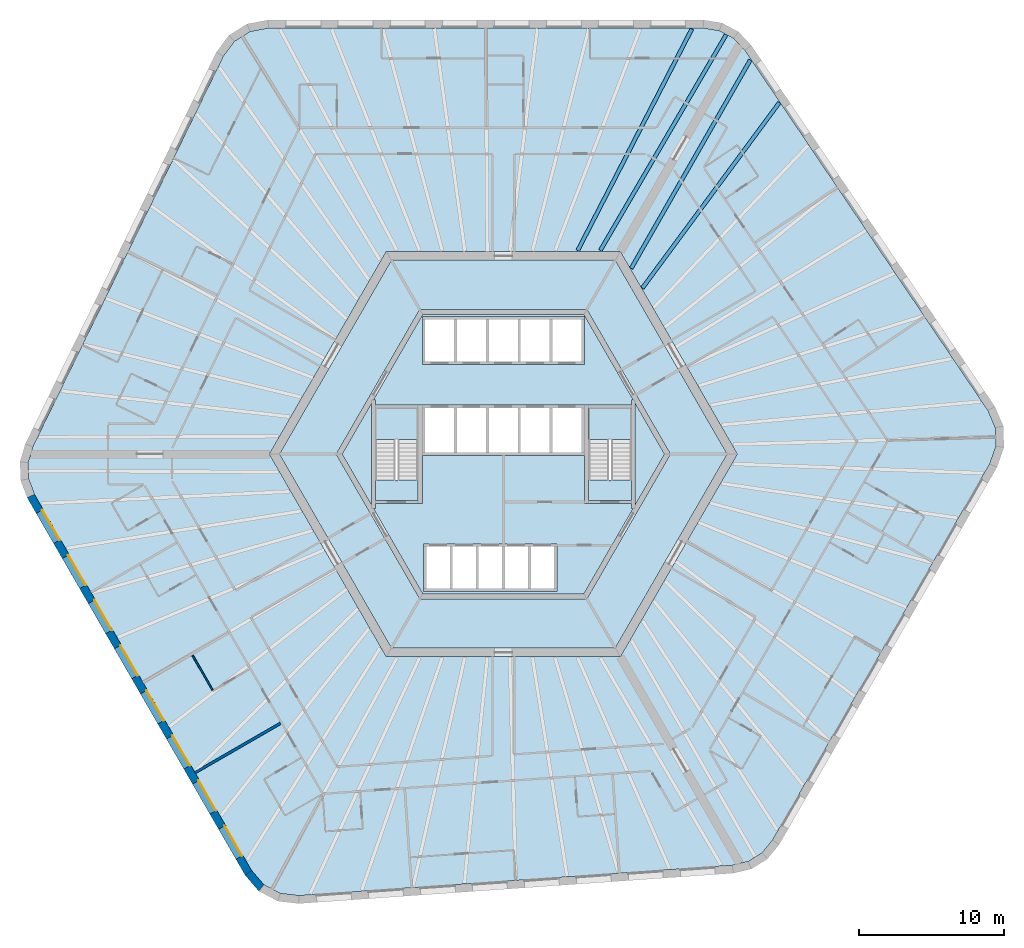
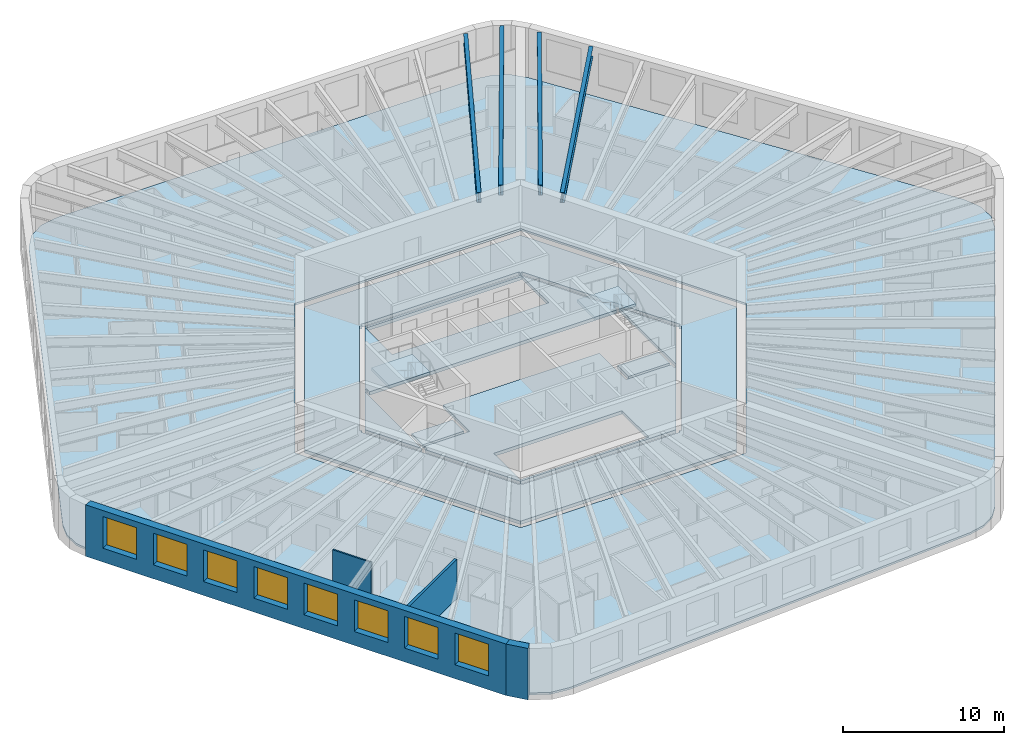
# One storey, part 2 of 12: 10 slabs, 8 windows, 4 beams, 4 walls, 8 openings, 2 elements without a shape of their own.
"""IFC4 building model written with IfcOpenShell, lengths in metres."""

import ifcopenshell
import ifcopenshell.guid

model = None  # the IFC model being written
_history = None  # IfcOwnerHistory: only IFC2X3 demands one
_inside = {}  # id of a spatial element -> (the spatial element, [elements in it])
_under = {}  # id of a project, library or spatial element -> (it, [spatial elements below it])
_declared = {}  # id of a project -> (the project, [libraries it declares])
_typed = {}  # id of a type object -> (the type object, [elements of that type])
_made_of = {}  # id of a material, layer set ... -> (it, [elements and type objects made of it])


def new_model(schema):
    """Start an empty IFC model of exactly this schema.

    Asked for "IFC4X3", IfcOpenShell would pick the latest addendum, in which some entities
    have other attributes; the version numbers below select the first issue.
    IFC2X3 requires an IfcOwnerHistory on every rooted entity: one is made here for all.
    """
    global model, _history
    if schema == "IFC4X3":
        model = ifcopenshell.file(schema_version=(4, 3, 0, 0))
    else:
        model = ifcopenshell.file(schema=schema)
    _inside.clear()
    _under.clear()
    _declared.clear()
    _typed.clear()
    _made_of.clear()
    _history = None
    if model.schema == "IFC2X3":
        org = make("IfcOrganization", Name="unknown")
        user = make(
            "IfcPersonAndOrganization",
            ThePerson=make("IfcPerson", FamilyName="unknown"),
            TheOrganization=org,
        )
        app = make(
            "IfcApplication",
            ApplicationDeveloper=org,
            Version="unknown",
            ApplicationFullName="unknown",
            ApplicationIdentifier="unknown",
        )
        _history = make(
            "IfcOwnerHistory",
            OwningUser=user,
            OwningApplication=app,
            ChangeAction="ADDED",
            CreationDate=0,
        )
    return model


def make(cls, **values):
    """One entity of the class cls with the attributes given. An attribute that is None is left unset."""
    return model.create_entity(
        cls, **{name: value for name, value in values.items() if value is not None}
    )


def rooted(cls, **values):
    """An entity with a GlobalId (a new one), such as an element, a storey or a relation."""
    return make(cls, GlobalId=ifcopenshell.guid.new(), OwnerHistory=_history, **values)


def si_unit(unit_type, name, prefix=None):
    """IfcSIUnit, for example si_unit("LENGTHUNIT", "METRE", prefix="MILLI")."""
    return make("IfcSIUnit", UnitType=unit_type, Prefix=prefix, Name=name)


def assignment(units):
    """IfcUnitAssignment: the units of a project."""
    return None if units is None else make("IfcUnitAssignment", Units=units)


def point(xyz):
    """IfcCartesianPoint."""
    return None if xyz is None else make("IfcCartesianPoint", Coordinates=xyz)


def direction(xyz):
    """IfcDirection."""
    return None if xyz is None else make("IfcDirection", DirectionRatios=xyz)


def frame(location, z_axis=None, x_axis=None):
    """IfcAxis2Placement3D, a coordinate frame: its origin and axes. An axis left out is left unset."""
    return make(
        "IfcAxis2Placement3D",
        Location=point(location),
        Axis=direction(z_axis),
        RefDirection=direction(x_axis),
    )


def frame_2d(location, x_axis=None):
    """IfcAxis2Placement2D, a coordinate frame in the plane: its origin and x axis."""
    return make(
        "IfcAxis2Placement2D", Location=point(location), RefDirection=direction(x_axis)
    )


def origin():
    """The frame at (0, 0, 0) with its axes left unset."""
    return frame((0.0, 0.0, 0.0))


def origin_2d():
    """The frame at (0, 0) in the plane with its x axis left unset."""
    return frame_2d((0.0, 0.0))


def place(relative_to, where):
    """IfcLocalPlacement: puts the frame where relative to a parent placement (None: the world)."""
    return make(
        "IfcLocalPlacement", PlacementRelTo=relative_to, RelativePlacement=where
    )


def context(
    kind, dimensions, precision=None, world=None, true_north=None, identifier=None
):
    """IfcGeometricRepresentationContext, for example the 3D "Model" context."""
    return make(
        "IfcGeometricRepresentationContext",
        ContextIdentifier=identifier,
        ContextType=kind,
        CoordinateSpaceDimension=dimensions,
        Precision=precision,
        WorldCoordinateSystem=world,
        TrueNorth=true_north,
    )


def subcontext(parent, identifier, kind, view, scale=None):
    """IfcGeometricRepresentationSubContext, for example "Body" below "Model"."""
    return make(
        "IfcGeometricRepresentationSubContext",
        ContextIdentifier=identifier,
        ContextType=kind,
        ParentContext=parent,
        TargetScale=scale,
        TargetView=view,
    )


def project(units=None, contexts=None):
    """IfcProject with its units and contexts."""
    return rooted(
        "IfcProject",
        Name="project",
        RepresentationContexts=contexts,
        UnitsInContext=assignment(units),
    )


def spatial(cls, under=None, at=None, **own):
    """A site, building, storey or space (cls), placed at a placement, below another one or the project."""
    s = rooted(cls, ObjectPlacement=at, **own)
    if under is not None:
        _under.setdefault(under.id(), (under, []))[1].append(s)
    return s


def polyline(points):
    """IfcPolyline through the points."""
    return make("IfcPolyline", Points=[point(p) for p in points])


def profile(cls, at=None, kind="AREA", **sizes):
    """A parametric profile (cls). Its sizes go by their IFC names, for example OverallWidth=200.0."""
    return make(cls, ProfileType=kind, Position=at, **sizes)


def rectangle(**sizes):
    """IfcRectangleProfileDef."""
    return profile("IfcRectangleProfileDef", **sizes)


def i_section(**sizes):
    """IfcIShapeProfileDef."""
    return profile("IfcIShapeProfileDef", **sizes)


def outline(outer, holes=None, kind="AREA"):
    """IfcArbitraryClosedProfileDef: a profile drawn as a closed curve; with holes, ...WithVoids."""
    if holes is None:
        return make("IfcArbitraryClosedProfileDef", ProfileType=kind, OuterCurve=outer)
    return make(
        "IfcArbitraryProfileDefWithVoids",
        ProfileType=kind,
        OuterCurve=outer,
        InnerCurves=holes,
    )


def extrude(swept, where, along, depth):
    """IfcExtrudedAreaSolid: the profile swept, set in the frame where, extruded along a direction by depth."""
    return make(
        "IfcExtrudedAreaSolid",
        SweptArea=swept,
        Position=where,
        ExtrudedDirection=direction(along),
        Depth=depth,
    )


def shape(context_of_items, identifier, shape_type, items):
    """IfcShapeRepresentation: the items that make up one representation, for example the "Body"."""
    return make(
        "IfcShapeRepresentation",
        ContextOfItems=context_of_items,
        RepresentationIdentifier=identifier,
        RepresentationType=shape_type,
        Items=items,
    )


def material(Name=None, Category=None):
    """IfcMaterial."""
    return make("IfcMaterial", Name=Name, Category=Category)


def layer(
    of_material, thickness, ventilated=None, Name=None, Category=None, Priority=None
):
    """IfcMaterialLayer: one layer of a wall or slab, of a material (None: an air gap)."""
    return make(
        "IfcMaterialLayer",
        Material=of_material,
        LayerThickness=thickness,
        IsVentilated=ventilated,
        Name=Name,
        Category=Category,
        Priority=Priority,
    )


def layer_set(layers, Name=None):
    """IfcMaterialLayerSet."""
    return make("IfcMaterialLayerSet", MaterialLayers=layers, LayerSetName=Name)


def material_profile(
    of_material, cross_section, Name=None, Category=None, Priority=None
):
    """IfcMaterialProfile: a cross section and its material."""
    return make(
        "IfcMaterialProfile",
        Name=Name,
        Material=of_material,
        Profile=cross_section,
        Priority=Priority,
        Category=Category,
    )


def profile_set(profiles, Name=None, composite=None):
    """IfcMaterialProfileSet."""
    return make(
        "IfcMaterialProfileSet",
        Name=Name,
        MaterialProfiles=profiles,
        CompositeProfile=composite,
    )


def made_of(thing, what):
    """Note that an element or type object is made of a material, layer set ...; save() writes the relation."""
    if what is not None:
        _made_of.setdefault(what.id(), (what, []))[1].append(thing)
    return thing


def type_object(cls, material=None, **own):
    """A type object (cls), such as IfcWallType, which elements share."""
    return made_of(rooted(cls, **own), material)


def element(
    cls,
    number,
    at=None,
    inside=None,
    cuts=None,
    type_object=None,
    material=None,
    context=None,
    identifier="Body",
    shape_type=None,
    held_by="IfcProductDefinitionShape",
    body=None,
    shapes=None,
    **own,
):
    """One element of the class cls, such as IfcWall. Its Tag is "e" and its number.

    at: its placement. inside: the storey or other place that contains it. cuts: it is an
    opening in that element (IfcRelVoidsElement). A single representation is given by context,
    identifier, shape_type and body (its items); several are given by shapes. held_by: the class
    of the entity that holds the representations. save() writes the other relations.
    """
    e = rooted(cls, Tag="e%d" % number, ObjectPlacement=at, **own)
    if body is not None:
        shapes = [shape(context, identifier, shape_type, body)]
    if shapes is not None:
        e.Representation = make(held_by, Representations=shapes)
    if inside is not None:
        _inside.setdefault(inside.id(), (inside, []))[1].append(e)
    if cuts is not None:
        rooted(
            "IfcRelVoidsElement", RelatingBuildingElement=cuts, RelatedOpeningElement=e
        )
    if type_object is not None:
        _typed.setdefault(type_object.id(), (type_object, []))[1].append(e)
    return made_of(e, material)


def fill(opening, filler):
    """IfcRelFillsElement: the door or window that sits in an opening."""
    return rooted(
        "IfcRelFillsElement",
        RelatingOpeningElement=opening,
        RelatedBuildingElement=filler,
    )


def aggregate(whole, parts):
    """IfcRelAggregates: a whole, such as a stair, and the parts it consists of."""
    return rooted("IfcRelAggregates", RelatingObject=whole, RelatedObjects=parts)


def save(model, path):
    """Write the relations noted so far, then the file.

    IfcRelAggregates (storeys below a building ...), IfcRelContainedInSpatialStructure (elements
    in a storey), IfcRelDefinesByType, IfcRelAssociatesMaterial and IfcRelDeclares: one each for
    every whole, place, type object, material and project.
    """
    for whole, parts in _under.values():
        aggregate(whole, parts)
    for where, things in _inside.values():
        rooted(
            "IfcRelContainedInSpatialStructure",
            RelatedElements=things,
            RelatingStructure=where,
        )
    for kind, things in _typed.values():
        rooted("IfcRelDefinesByType", RelatedObjects=things, RelatingType=kind)
    for what, things in _made_of.values():
        rooted("IfcRelAssociatesMaterial", RelatedObjects=things, RelatingMaterial=what)
    for by, libraries in _declared.values():
        rooted("IfcRelDeclares", RelatingContext=by, RelatedDefinitions=libraries)
    model.write(path)


model = new_model("IFC4")

# Units and contexts
model_context = context("Model", 3, precision=1e-05, world=origin(), true_north=direction((0.0, 1.0)))
body_context = subcontext(model_context, "Body", "Model", "MODEL_VIEW")
ifc_project = project(units=[si_unit("LENGTHUNIT", "METRE"), si_unit("AREAUNIT", "SQUARE_METRE"), si_unit("VOLUMEUNIT", "CUBIC_METRE"), si_unit("PLANEANGLEUNIT", "RADIAN"), si_unit("MASSUNIT", "GRAM", prefix="KILO")], contexts=[model_context])

# Site, building, storey
site_placement = place(None, origin())
site = spatial("IfcSite", under=ifc_project, at=site_placement, CompositionType="ELEMENT")
building_placement = place(site_placement, origin())
building = spatial("IfcBuilding", under=site, at=building_placement, Name="Tarnside Tower", CompositionType="ELEMENT")
storey_placement = place(building_placement, frame((0.0, 0.0, 53.10009765625)))
storey = spatial("IfcBuildingStorey", under=building, at=storey_placement, Name="L10", CompositionType="ELEMENT", Elevation=53.10009765625)

# Beams
ifc_material_1 = material(Name="Steel S355", Category="steel")
ifc_material_profile = material_profile(ifc_material_1, i_section(OverallWidth=0.2666015625, OverallDepth=0.76220703125, WebThickness=0.014404296875, FlangeThickness=0.021484375, FilletRadius=0.0166015625, at=origin_2d()), Name="UB 762x267x173")
ifc_profile_set = profile_set([ifc_material_profile], Name="Steel S355")
beam_type = type_object("IfcBeamType", Name="Floor beam UB 762x267x173", PredefinedType="BEAM", material=ifc_profile_set)
beam_1_placement = place(storey_placement, frame((13.0283203125, 29.37890625, 3.368896484375), z_axis=(-0.457973226459, -0.888965985765, 0.0), x_axis=(0.888965985765, -0.457973226459, 0.0)))
element("IfcBeam", 1, at=beam_1_placement, inside=storey, type_object=beam_type, Name="Floor beam F1.01", PredefinedType="BEAM", context=body_context, shape_type="SweptSolid", body=[
    extrude(i_section(OverallWidth=0.2666015625, OverallDepth=0.76220703125, WebThickness=0.014404296875, FlangeThickness=0.021484375, FilletRadius=0.0166015625, at=origin_2d()), origin(), (0.0, 0.0, 1.0), 17.219970703125),
])
beam_2_placement = place(storey_placement, frame((19.072021484375, 24.28857421875, 3.368896484375), z_axis=(-0.593986893499, -0.804474717037, 0.0), x_axis=(0.804474717037, -0.593986893499, 0.0)))
element("IfcBeam", 2, at=beam_2_placement, inside=storey, type_object=beam_type, Name="Floor beam F6.08", PredefinedType="BEAM", context=body_context, shape_type="SweptSolid", body=[
    extrude(i_section(OverallWidth=0.2666015625, OverallDepth=0.76220703125, WebThickness=0.014404296875, FlangeThickness=0.021484375, FilletRadius=0.0166015625, at=origin_2d()), origin(), (0.0, 0.0, 1.0), 15.934326171875),
])
beam_3_placement = place(storey_placement, frame((17.066162109375, 27.235107421875, 3.368896484375), z_axis=(-0.49622611841, -0.868193319145, 0.0), x_axis=(0.868193319145, -0.49622611841, 0.0)))
element("IfcBeam", 3, at=beam_3_placement, inside=storey, type_object=beam_type, Name="Floor beam F6.09", PredefinedType="BEAM", context=body_context, shape_type="SweptSolid", body=[
    extrude(i_section(OverallWidth=0.2666015625, OverallDepth=0.76220703125, WebThickness=0.014404296875, FlangeThickness=0.021484375, FilletRadius=0.0166015625, at=origin_2d()), origin(), (0.0, 0.0, 1.0), 16.586669921875),
])
beam_4_placement = place(storey_placement, frame((15.4013671875, 28.990478515625, 3.368896484375), z_axis=(-0.503858723096, -0.863786077198, 0.0), x_axis=(0.863786077198, -0.503858723096, 0.0)))
element("IfcBeam", 4, at=beam_4_placement, inside=storey, type_object=beam_type, Name="Floor beam C6", PredefinedType="BEAM", context=body_context, shape_type="SweptSolid", body=[
    extrude(i_section(OverallWidth=0.2666015625, OverallDepth=0.76220703125, WebThickness=0.014404296875, FlangeThickness=0.021484375, FilletRadius=0.0166015625, at=origin_2d()), origin(), (0.0, 0.0, 1.0), 17.2744140625),
])

# Slabs
ifc_material_2 = material(Name="Concrete C35/45", Category="concrete")
ifc_layer_1 = layer(ifc_material_2, 0.14990234375)
ifc_layer_set_1 = layer_set([ifc_layer_1], Name="Composite floor slab 150")
slab_type_1 = type_object("IfcSlabType", Name="Composite floor slab 150", PredefinedType="FLOOR", material=ifc_layer_set_1)
slab_1_placement = place(storey_placement, frame((0.0, 0.0, -0.150146484375)))
element("IfcSlab", 5, at=slab_1_placement, inside=storey, type_object=slab_type_1, Name="Floor slab L10", PredefinedType="FLOOR", context=body_context, shape_type="SweptSolid", body=[
    extrude(outline(polyline([(14.927490234375, 29.264892578125), (15.91455078125, 28.740234375), (16.697265625, 27.91064453125), (33.48583984375, 3.0205078125), (34.001220703125, 1.825439453125), (34.0458984375, 0.55078125), (33.614990234375, -0.67724609375), (18.603515625, -26.677978515625), (17.880615234375, -27.56005859375), (16.9326171875, -28.15234375), (15.82275390625, -28.41552734375), (-14.127197265625, -30.509765625), (-15.419921875, -30.358642578125), (-16.5458984375, -29.760009765625), (-17.39404296875, -28.772705078125), (-32.405517578125, -2.772216796875), (-32.80810546875, -1.704833984375), (-32.846923828125, -0.587890625), (-32.52001953125, 0.5048828125), (-19.358642578125, 27.4892578125), (-18.58154296875, 28.533203125), (-17.5, 29.208984375), (-16.220947265625, 29.449951171875), (13.802001953125, 29.449951171875), (14.927490234375, 29.264892578125)]), holes=[polyline([(-16.165771484375, 0.0), (-8.0830078125, -14.0), (8.0830078125, -14.0), (16.165771484375, 0.0), (8.0830078125, 14.0), (-8.0830078125, 14.0), (-16.165771484375, 0.0)])]), origin(), (0.0, 0.0, 1.0), 0.150146484375),
])
ifc_material_3 = material(Name="Concrete C40/50", Category="concrete")
ifc_layer_2 = layer(ifc_material_3, 0.25)
ifc_layer_set_2 = layer_set([ifc_layer_2], Name="Core slab C40/50")
slab_type_2 = type_object("IfcSlabType", Name="Core slab C40/50", PredefinedType="FLOOR", material=ifc_layer_set_2)
slab_2_placement = place(storey_placement, frame((0.0, 0.0, -0.25)))
element("IfcSlab", 6, at=slab_2_placement, inside=storey, type_object=slab_type_2, Name="L10 core floor slab 1", PredefinedType="FLOOR", context=body_context, shape_type="SweptSolid", body=[
    extrude(outline(polyline([(-15.472900390625, 0.0), (-7.736572265625, 13.39990234375), (7.736572265625, 13.39990234375), (15.472900390625, 0.0), (7.736572265625, -13.39990234375), (-7.736572265625, -13.39990234375), (-15.472900390625, 0.0)]), holes=[polyline([(5.823974609375, -9.91259765625), (11.49658203125, -0.08740234375), (11.344970703125, 0.0), (11.49658203125, 0.08740234375), (5.823974609375, 9.91259765625), (5.672607421875, 9.824951171875), (5.672607421875, 10.0), (-5.672607421875, 10.0), (-5.672607421875, 9.824951171875), (-5.823974609375, 9.91259765625), (-11.49658203125, 0.08740234375), (-11.344970703125, 0.0), (-11.49658203125, -0.08740234375), (-5.823974609375, -9.91259765625), (-5.672607421875, -9.824951171875), (-5.672607421875, -10.0), (5.672607421875, -10.0), (5.672607421875, -9.824951171875), (5.823974609375, -9.91259765625)])]), origin(), (0.0, 0.0, 1.0), 0.25),
])
slab_3_placement = place(storey_placement, frame((0.0, 0.0, -0.25)))
element("IfcSlab", 7, at=slab_3_placement, inside=storey, type_object=slab_type_2, Name="L10 core floor slab 2", PredefinedType="FLOOR", context=body_context, shape_type="SweptSolid", body=[
    extrude(outline(polyline([(-8.97509765625, 3.7548828125), (-5.5712890625, 9.64990234375), (5.5712890625, 9.64990234375), (8.97509765625, 3.7548828125), (8.85009765625, 3.7548828125), (8.85009765625, 3.39990234375), (5.89990234375, 3.39990234375), (5.60009765625, 3.39990234375), (5.60009765625, 3.39990234375), (-5.60009765625, 3.39990234375), (-5.89990234375, 3.39990234375), (-8.85009765625, 3.39990234375), (-8.85009765625, 3.7548828125), (-8.97509765625, 3.7548828125)]), holes=[polyline([(-5.60009765625, 6.199951171875), (5.60009765625, 6.199951171875), (5.60009765625, 6.39990234375), (5.60009765625, 9.300048828125), (5.60009765625, 9.5), (-5.60009765625, 9.5), (-5.60009765625, 9.300048828125), (-5.60009765625, 6.39990234375), (-5.60009765625, 6.199951171875)])]), origin(), (0.0, 0.0, 1.0), 0.25),
])
slab_4_placement = place(storey_placement, frame((0.0, 0.0, -0.25)))
element("IfcSlab", 8, at=slab_4_placement, inside=storey, type_object=slab_type_2, Name="L10 core floor slab 3", PredefinedType="FLOOR", context=body_context, shape_type="SweptSolid", body=[
    extrude(outline(polyline([(5.60009765625, -3.39990234375), (5.89990234375, -3.39990234375), (8.85009765625, -3.39990234375), (8.85009765625, -3.7548828125), (8.97509765625, -3.7548828125), (5.5712890625, -9.64990234375), (-5.5712890625, -9.64990234375), (-8.97509765625, -3.7548828125), (-8.85009765625, -3.7548828125), (-8.85009765625, -3.39990234375), (-5.89990234375, -3.39990234375), (-5.60009765625, -3.39990234375), (-5.60009765625, -0.10009765625), (5.60009765625, -0.10009765625), (5.60009765625, -3.39990234375)]), holes=[polyline([(-5.5, -9.300048828125), (-5.5, -9.5), (3.699951171875, -9.5), (3.699951171875, -9.300048828125), (3.699951171875, -6.39990234375), (3.699951171875, -6.199951171875), (-5.5, -6.199951171875), (-5.5, -6.39990234375), (-5.5, -9.300048828125)])]), origin(), (0.0, 0.0, 1.0), 0.25),
])
slab_5_placement = place(storey_placement, frame((0.0, 0.0, -0.25)))
element("IfcSlab", 9, at=slab_5_placement, inside=storey, type_object=slab_type_2, Name="L10 core floor slab 4", PredefinedType="FLOOR", context=body_context, shape_type="SweptSolid", body=[
    extrude(outline(polyline([(-11.142822265625, 0.0), (-9.10009765625, 3.538330078125), (-9.10009765625, -3.538330078125), (-11.142822265625, 0.0)])), origin(), (0.0, 0.0, 1.0), 0.25),
])
slab_6_placement = place(storey_placement, frame((0.0, 0.0, -0.25)))
element("IfcSlab", 10, at=slab_6_placement, inside=storey, type_object=slab_type_2, Name="L10 core floor slab 5", PredefinedType="FLOOR", context=body_context, shape_type="SweptSolid", body=[
    extrude(outline(polyline([(-8.85009765625, -1.800048828125), (-5.89990234375, -1.800048828125), (-5.89990234375, -3.199951171875), (-8.85009765625, -3.199951171875), (-8.85009765625, -1.800048828125)])), origin(), (0.0, 0.0, 1.0), 0.25),
])
slab_7_placement = place(storey_placement, frame((0.0, 0.0, -0.25)))
element("IfcSlab", 11, at=slab_7_placement, inside=storey, type_object=slab_type_2, Name="L10 core floor slab 6", PredefinedType="FLOOR", context=body_context, shape_type="SweptSolid", body=[
    extrude(outline(polyline([(5.89990234375, -3.199951171875), (5.89990234375, -1.800048828125), (8.85009765625, -1.800048828125), (8.85009765625, -3.199951171875), (5.89990234375, -3.199951171875)])), origin(), (0.0, 0.0, 1.0), 0.25),
])
slab_8_placement = place(storey_placement, frame((0.0, 0.0, -0.25)))
element("IfcSlab", 12, at=slab_8_placement, inside=storey, type_object=slab_type_2, Name="L10 core floor slab 7", PredefinedType="FLOOR", context=body_context, shape_type="SweptSolid", body=[
    extrude(outline(polyline([(9.10009765625, -3.538330078125), (9.10009765625, 3.538330078125), (11.142822265625, 0.0), (9.10009765625, -3.538330078125)])), origin(), (0.0, 0.0, 1.0), 0.25),
])

# Stair, slab
stair_type = type_object("IfcStairType", Name="Exit stair 1400 clear", PredefinedType="HALF_TURN_STAIR", material=ifc_material_3)
stair_1_placement = place(storey_placement, origin())
stair_1 = element("IfcStair", 13, at=stair_1_placement, inside=storey, type_object=stair_type, Name="L10 Exit stair 1", PredefinedType="HALF_TURN_STAIR")
ifc_layer_3 = layer(ifc_material_3, 0.199951171875)
ifc_layer_set_3 = layer_set([ifc_layer_3], Name="Stair landing 200 C40/50")
slab_type_3 = type_object("IfcSlabType", Name="Stair landing 200 C40/50", PredefinedType="LANDING", material=ifc_layer_set_3)
slab_9_placement = place(storey_placement, frame((0.0, 0.0, 1.75)))
slab_9 = element("IfcSlab", 14, at=slab_9_placement, type_object=slab_type_3, Name="ST1 landing 1", PredefinedType="LANDING", context=body_context, shape_type="SweptSolid", body=[
    extrude(outline(polyline([(8.85009765625, 1.0), (8.85009765625, 3.199951171875), (5.89990234375, 3.199951171875), (5.89990234375, 1.0), (8.85009765625, 1.0)])), origin(), (0.0, 0.0, 1.0), 0.199951171875),
])
aggregate(stair_1, [slab_9])

stair_2_placement = place(storey_placement, origin())
stair_2 = element("IfcStair", 15, at=stair_2_placement, inside=storey, type_object=stair_type, Name="L10 Exit stair 2", PredefinedType="HALF_TURN_STAIR")
slab_10_placement = place(storey_placement, frame((0.0, 0.0, 1.75)))
slab_10 = element("IfcSlab", 16, at=slab_10_placement, type_object=slab_type_3, Name="ST2 landing 1", PredefinedType="LANDING", context=body_context, shape_type="SweptSolid", body=[
    extrude(outline(polyline([(-5.89990234375, 1.0), (-5.89990234375, 3.199951171875), (-8.85009765625, 3.199951171875), (-8.85009765625, 1.0), (-5.89990234375, 1.0)])), origin(), (0.0, 0.0, 1.0), 0.199951171875),
])
aggregate(stair_2, [slab_10])

# Walls
ifc_material_4 = material(Name="Gypsum board partition on steel studs", Category="steel")
ifc_layer_4 = layer(ifc_material_4, 0.10009765625)
ifc_layer_set_4 = layer_set([ifc_layer_4], Name="Bathroom wall 100")
wall_type_1 = type_object("IfcWallType", Name="Bathroom wall 100", PredefinedType="PARTITIONING", material=ifc_layer_set_4)
wall_1_placement = place(storey_placement, frame((-20.096435546875, -16.2919921875, 0.0), z_axis=(0.0, 0.0, 1.0), x_axis=(-0.499982807329, 0.86603532975, 0.0)))
element("IfcWall", 17, at=wall_1_placement, inside=storey, type_object=wall_type_1, Name="Bathroom wall 02111", PredefinedType="PARTITIONING", context=body_context, shape_type="SweptSolid", body=[
    extrude(rectangle(XDim=2.759765625, YDim=0.10009765625, at=frame_2d((1.3798828125, 0.0))), origin(), (0.0, 0.0, 1.0), 2.98779296875),
])
ifc_layer_5 = layer(ifc_material_4, 0.179931640625)
ifc_layer_set_5 = layer_set([ifc_layer_5], Name="Demising wall 180 EI 60")
wall_type_2 = type_object("IfcWallType", Name="Demising wall 180 EI 60", PredefinedType="PARTITIONING", material=ifc_layer_set_5)
wall_2_placement = place(storey_placement, frame((-21.298828125, -22.00927734375, 0.0), z_axis=(0.0, 0.0, 1.0), x_axis=(0.866019982719, 0.500009389444, 0.0)))
element("IfcWall", 18, at=wall_2_placement, inside=storey, type_object=wall_type_2, Name="Demising wall 02112", PredefinedType="PARTITIONING", context=body_context, shape_type="SweptSolid", body=[
    extrude(rectangle(XDim=6.824951171875, YDim=0.179931640625, at=frame_2d((3.41259765625, 0.0))), origin(), (0.0, 0.0, 1.0), 2.98779296875),
])

# Wall, openings, windows
ifc_material_5 = material(Name="Facing brick", Category="masonry")
ifc_layer_6 = layer(ifc_material_5, 0.10205078125)
ifc_material_6 = material(Name="Concrete C60/75 precast", Category="concrete")
ifc_layer_7 = layer(ifc_material_6, 0.347900390625)
ifc_material_7 = material(Name="Mineral wool insulation")
ifc_layer_8 = layer(ifc_material_7, 0.10009765625)
ifc_layer_set_6 = layer_set([ifc_layer_6, ifc_layer_7, ifc_layer_8], Name="Tube wall 550 brick faced")
wall_type_3 = type_object("IfcWallType", Name="Tube wall 550 brick faced", PredefinedType="SOLIDWALL", material=ifc_layer_set_6)
wall_3_placement = place(storey_placement, frame((-32.65478515625, -2.89013671875, -0.150146484375), z_axis=(0.0, 0.0, 1.0), x_axis=(0.499997711317, -0.866026725152, 0.0)))
wall_3 = element("IfcWall", 19, at=wall_3_placement, inside=storey, type_object=wall_type_3, Name="Tube wall L10 F3 flush 08", PredefinedType="SOLIDWALL", context=body_context, shape_type="SweptSolid", body=[
    extrude(outline(polyline([(-0.0224609375, -0.27490234375), (30.0966796875, -0.27490234375), (30.04541015625, 0.27490234375), (0.0224609375, 0.27490234375), (-0.0224609375, -0.27490234375)])), origin(), (0.0, 0.0, 1.0), 3.900146484375),
])
opening_1_placement = place(wall_3_placement, frame((1.235595703125, 0.0, 1.050048828125)))
opening_1 = element("IfcOpeningElement", 20, at=opening_1_placement, cuts=wall_3, Name="Opening WH", PredefinedType="OPENING", context=body_context, shape_type="SweptSolid", body=[
    extrude(rectangle(XDim=2.39990234375, YDim=2.39990234375, at=frame_2d((1.199951171875, 1.199951171875))), frame((0.0, 0.28515625, 0.0), z_axis=(0.0, -1.0, 0.0), x_axis=(1.0, 0.0, 0.0)), (0.0, 0.0, 1.0), 0.570068359375),
])
opening_2_placement = place(wall_3_placement, frame((4.83544921875, 0.0, 1.050048828125)))
opening_2 = element("IfcOpeningElement", 21, at=opening_2_placement, cuts=wall_3, Name="Opening WH", PredefinedType="OPENING", context=body_context, shape_type="SweptSolid", body=[
    extrude(rectangle(XDim=2.39990234375, YDim=2.39990234375, at=frame_2d((1.199951171875, 1.199951171875))), frame((0.0, 0.28515625, 0.0), z_axis=(0.0, -1.0, 0.0), x_axis=(1.0, 0.0, 0.0)), (0.0, 0.0, 1.0), 0.570068359375),
])
opening_3_placement = place(wall_3_placement, frame((8.435546875, 0.0, 1.050048828125)))
opening_3 = element("IfcOpeningElement", 22, at=opening_3_placement, cuts=wall_3, Name="Opening WH", PredefinedType="OPENING", context=body_context, shape_type="SweptSolid", body=[
    extrude(rectangle(XDim=2.39990234375, YDim=2.39990234375, at=frame_2d((1.199951171875, 1.199951171875))), frame((0.0, 0.28515625, 0.0), z_axis=(0.0, -1.0, 0.0), x_axis=(1.0, 0.0, 0.0)), (0.0, 0.0, 1.0), 0.570068359375),
])
opening_4_placement = place(wall_3_placement, frame((12.035400390625, 0.0, 1.050048828125)))
opening_4 = element("IfcOpeningElement", 23, at=opening_4_placement, cuts=wall_3, Name="Opening WH", PredefinedType="OPENING", context=body_context, shape_type="SweptSolid", body=[
    extrude(rectangle(XDim=2.39990234375, YDim=2.39990234375, at=frame_2d((1.199951171875, 1.199951171875))), frame((0.0, 0.28515625, 0.0), z_axis=(0.0, -1.0, 0.0), x_axis=(1.0, 0.0, 0.0)), (0.0, 0.0, 1.0), 0.570068359375),
])
opening_5_placement = place(wall_3_placement, frame((15.635498046875, 0.0, 1.050048828125)))
opening_5 = element("IfcOpeningElement", 24, at=opening_5_placement, cuts=wall_3, Name="Opening WH", PredefinedType="OPENING", context=body_context, shape_type="SweptSolid", body=[
    extrude(rectangle(XDim=2.39990234375, YDim=2.39990234375, at=frame_2d((1.199951171875, 1.199951171875))), frame((0.0, 0.28515625, 0.0), z_axis=(0.0, -1.0, 0.0), x_axis=(1.0, 0.0, 0.0)), (0.0, 0.0, 1.0), 0.570068359375),
])
opening_6_placement = place(wall_3_placement, frame((19.235595703125, 0.0, 1.050048828125)))
opening_6 = element("IfcOpeningElement", 25, at=opening_6_placement, cuts=wall_3, Name="Opening WH", PredefinedType="OPENING", context=body_context, shape_type="SweptSolid", body=[
    extrude(rectangle(XDim=2.39990234375, YDim=2.39990234375, at=frame_2d((1.199951171875, 1.199951171875))), frame((0.0, 0.28515625, 0.0), z_axis=(0.0, -1.0, 0.0), x_axis=(1.0, 0.0, 0.0)), (0.0, 0.0, 1.0), 0.570068359375),
])
opening_7_placement = place(wall_3_placement, frame((22.83544921875, 0.0, 1.050048828125)))
opening_7 = element("IfcOpeningElement", 26, at=opening_7_placement, cuts=wall_3, Name="Opening WH", PredefinedType="OPENING", context=body_context, shape_type="SweptSolid", body=[
    extrude(rectangle(XDim=2.39990234375, YDim=2.39990234375, at=frame_2d((1.199951171875, 1.199951171875))), frame((0.0, 0.28515625, 0.0), z_axis=(0.0, -1.0, 0.0), x_axis=(1.0, 0.0, 0.0)), (0.0, 0.0, 1.0), 0.570068359375),
])
opening_8_placement = place(wall_3_placement, frame((26.435546875, 0.0, 1.050048828125)))
opening_8 = element("IfcOpeningElement", 27, at=opening_8_placement, cuts=wall_3, Name="Opening WH", PredefinedType="OPENING", context=body_context, shape_type="SweptSolid", body=[
    extrude(rectangle(XDim=2.39990234375, YDim=2.39990234375, at=frame_2d((1.199951171875, 1.199951171875))), frame((0.0, 0.28515625, 0.0), z_axis=(0.0, -1.0, 0.0), x_axis=(1.0, 0.0, 0.0)), (0.0, 0.0, 1.0), 0.570068359375),
])
ifc_material_8 = material(Name="Aluminium-framed double glazing", Category="aluminium")
window_type = type_object("IfcWindowType", Name="Hotel window 2400 x 2400", PartitioningType="DOUBLE_PANEL_VERTICAL", PredefinedType="WINDOW", material=ifc_material_8)
window_1_placement = place(opening_1_placement, frame((0.0, 0.205078125, 0.0)))
window_1 = element("IfcWindow", 28, at=window_1_placement, inside=storey, type_object=window_type, Name="E.WN.L10.F3.00", OverallHeight=2.39990234375, OverallWidth=2.39990234375, PartitioningType="DOUBLE_PANEL_VERTICAL", PredefinedType="WINDOW", context=body_context, shape_type="SweptSolid", body=[
    extrude(rectangle(XDim=2.39990234375, YDim=2.39990234375, at=frame_2d((1.199951171875, 1.199951171875))), frame((0.0, 0.030029296875, 0.0), z_axis=(0.0, -1.0, 0.0), x_axis=(1.0, 0.0, 0.0)), (0.0, 0.0, 1.0), 0.06005859375),
])
fill(opening_1, window_1)
window_2_placement = place(opening_2_placement, frame((0.0, 0.205078125, 0.0)))
window_2 = element("IfcWindow", 29, at=window_2_placement, inside=storey, type_object=window_type, Name="E.WN.L10.F3.01", OverallHeight=2.39990234375, OverallWidth=2.39990234375, PartitioningType="DOUBLE_PANEL_VERTICAL", PredefinedType="WINDOW", context=body_context, shape_type="SweptSolid", body=[
    extrude(rectangle(XDim=2.39990234375, YDim=2.39990234375, at=frame_2d((1.199951171875, 1.199951171875))), frame((0.0, 0.030029296875, 0.0), z_axis=(0.0, -1.0, 0.0), x_axis=(1.0, 0.0, 0.0)), (0.0, 0.0, 1.0), 0.06005859375),
])
fill(opening_2, window_2)
window_3_placement = place(opening_3_placement, frame((0.0, 0.205078125, 0.0)))
window_3 = element("IfcWindow", 30, at=window_3_placement, inside=storey, type_object=window_type, Name="E.WN.L10.F3.02", OverallHeight=2.39990234375, OverallWidth=2.39990234375, PartitioningType="DOUBLE_PANEL_VERTICAL", PredefinedType="WINDOW", context=body_context, shape_type="SweptSolid", body=[
    extrude(rectangle(XDim=2.39990234375, YDim=2.39990234375, at=frame_2d((1.199951171875, 1.199951171875))), frame((0.0, 0.030029296875, 0.0), z_axis=(0.0, -1.0, 0.0), x_axis=(1.0, 0.0, 0.0)), (0.0, 0.0, 1.0), 0.06005859375),
])
fill(opening_3, window_3)
window_4_placement = place(opening_4_placement, frame((0.0, 0.205078125, 0.0)))
window_4 = element("IfcWindow", 31, at=window_4_placement, inside=storey, type_object=window_type, Name="E.WN.L10.F3.03", OverallHeight=2.39990234375, OverallWidth=2.39990234375, PartitioningType="DOUBLE_PANEL_VERTICAL", PredefinedType="WINDOW", context=body_context, shape_type="SweptSolid", body=[
    extrude(rectangle(XDim=2.39990234375, YDim=2.39990234375, at=frame_2d((1.199951171875, 1.199951171875))), frame((0.0, 0.030029296875, 0.0), z_axis=(0.0, -1.0, 0.0), x_axis=(1.0, 0.0, 0.0)), (0.0, 0.0, 1.0), 0.06005859375),
])
fill(opening_4, window_4)
window_5_placement = place(opening_5_placement, frame((0.0, 0.205078125, 0.0)))
window_5 = element("IfcWindow", 32, at=window_5_placement, inside=storey, type_object=window_type, Name="E.WN.L10.F3.04", OverallHeight=2.39990234375, OverallWidth=2.39990234375, PartitioningType="DOUBLE_PANEL_VERTICAL", PredefinedType="WINDOW", context=body_context, shape_type="SweptSolid", body=[
    extrude(rectangle(XDim=2.39990234375, YDim=2.39990234375, at=frame_2d((1.199951171875, 1.199951171875))), frame((0.0, 0.030029296875, 0.0), z_axis=(0.0, -1.0, 0.0), x_axis=(1.0, 0.0, 0.0)), (0.0, 0.0, 1.0), 0.06005859375),
])
fill(opening_5, window_5)
window_6_placement = place(opening_6_placement, frame((0.0, 0.205078125, 0.0)))
window_6 = element("IfcWindow", 33, at=window_6_placement, inside=storey, type_object=window_type, Name="E.WN.L10.F3.05", OverallHeight=2.39990234375, OverallWidth=2.39990234375, PartitioningType="DOUBLE_PANEL_VERTICAL", PredefinedType="WINDOW", context=body_context, shape_type="SweptSolid", body=[
    extrude(rectangle(XDim=2.39990234375, YDim=2.39990234375, at=frame_2d((1.199951171875, 1.199951171875))), frame((0.0, 0.030029296875, 0.0), z_axis=(0.0, -1.0, 0.0), x_axis=(1.0, 0.0, 0.0)), (0.0, 0.0, 1.0), 0.06005859375),
])
fill(opening_6, window_6)
window_7_placement = place(opening_7_placement, frame((0.0, 0.205078125, 0.0)))
window_7 = element("IfcWindow", 34, at=window_7_placement, inside=storey, type_object=window_type, Name="E.WN.L10.F3.06", OverallHeight=2.39990234375, OverallWidth=2.39990234375, PartitioningType="DOUBLE_PANEL_VERTICAL", PredefinedType="WINDOW", context=body_context, shape_type="SweptSolid", body=[
    extrude(rectangle(XDim=2.39990234375, YDim=2.39990234375, at=frame_2d((1.199951171875, 1.199951171875))), frame((0.0, 0.030029296875, 0.0), z_axis=(0.0, -1.0, 0.0), x_axis=(1.0, 0.0, 0.0)), (0.0, 0.0, 1.0), 0.06005859375),
])
fill(opening_7, window_7)
window_8_placement = place(opening_8_placement, frame((0.0, 0.205078125, 0.0)))
window_8 = element("IfcWindow", 35, at=window_8_placement, inside=storey, type_object=window_type, Name="E.WN.L10.F3.07", OverallHeight=2.39990234375, OverallWidth=2.39990234375, PartitioningType="DOUBLE_PANEL_VERTICAL", PredefinedType="WINDOW", context=body_context, shape_type="SweptSolid", body=[
    extrude(rectangle(XDim=2.39990234375, YDim=2.39990234375, at=frame_2d((1.199951171875, 1.199951171875))), frame((0.0, 0.030029296875, 0.0), z_axis=(0.0, -1.0, 0.0), x_axis=(1.0, 0.0, 0.0)), (0.0, 0.0, 1.0), 0.06005859375),
])
fill(opening_8, window_8)

# Wall
wall_4_placement = place(storey_placement, frame((-17.619384765625, -28.932373046875, -0.150146484375), z_axis=(0.0, 0.0, 1.0), x_axis=(0.651621950847, -0.758543890078, 0.0)))
element("IfcWall", 36, at=wall_4_placement, inside=storey, type_object=wall_type_3, Name="Tube wall L10 F3 chord 09", PredefinedType="SOLIDWALL", context=body_context, shape_type="SweptSolid", body=[
    extrude(outline(polyline([(-0.025634765625, -0.27490234375), (1.430908203125, -0.27490234375), (1.327392578125, 0.27490234375), (0.025634765625, 0.27490234375), (-0.025634765625, -0.27490234375)])), origin(), (0.0, 0.0, 1.0), 3.900146484375),
])

save(model, "model.ifc")
